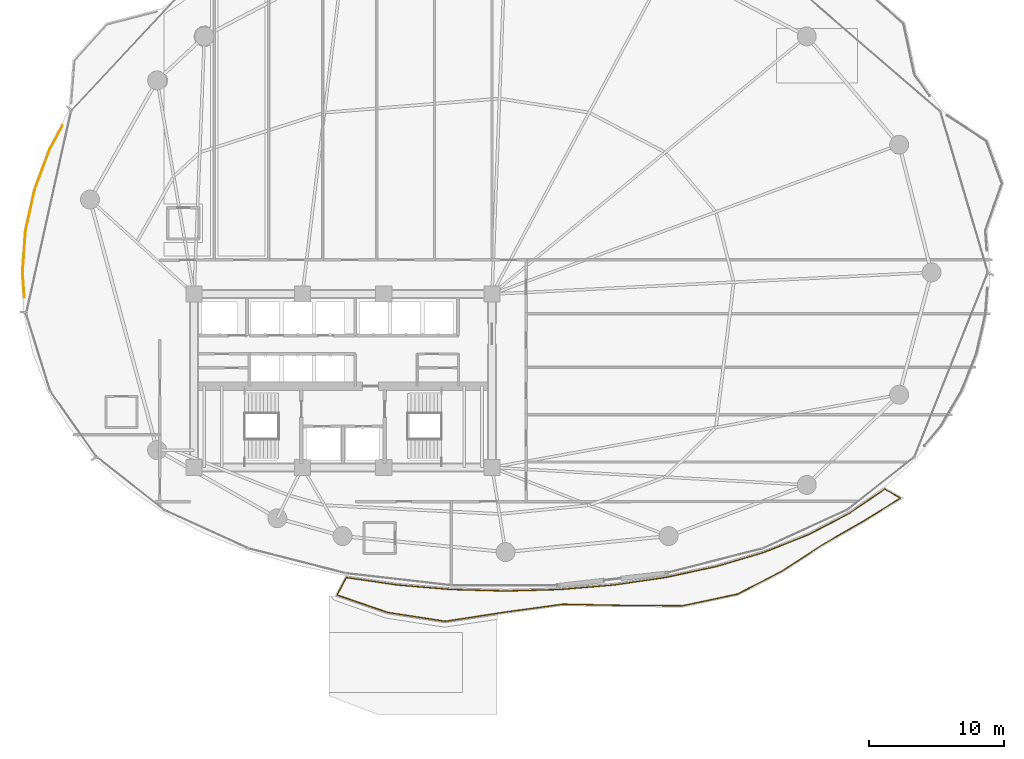
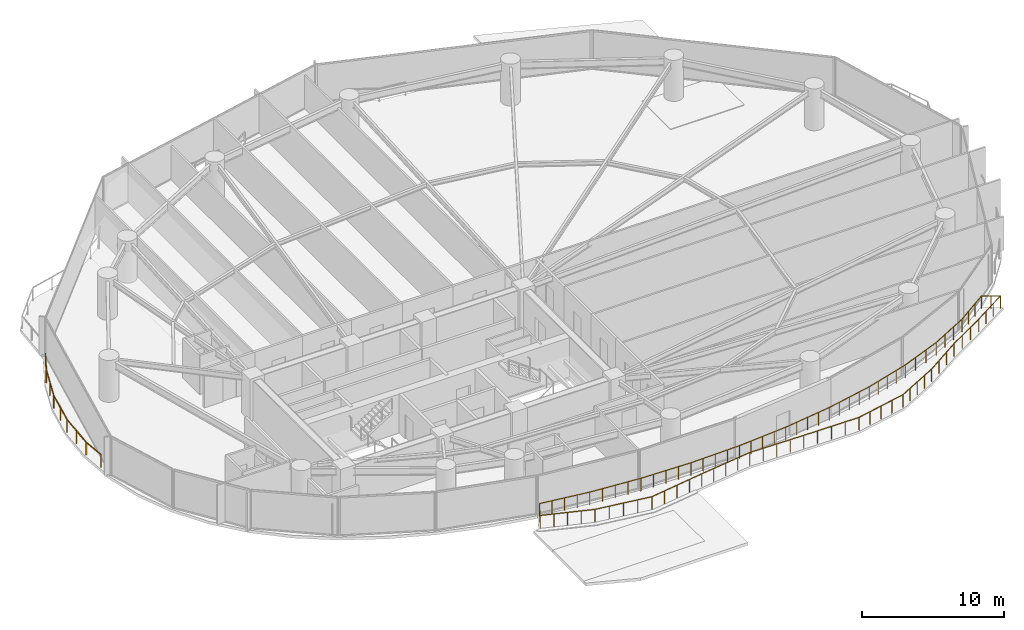
# One storey, part 30 of 32: 2 railings.
"""IFC4 building model written with IfcOpenShell, lengths in metres."""

from ifc_helpers import new_model, si_unit, direction, frame, origin, origin_2d, place, context, subcontext, project, spatial, rectangle, extrude, material, type_object, element, save


model = new_model("IFC4")

# Units and contexts
model_context = context("Model", 3, precision=1e-05, world=origin(), true_north=direction((0.0, 1.0)))
body_context = subcontext(model_context, "Body", "Model", "MODEL_VIEW")
ifc_project = project(units=[si_unit("LENGTHUNIT", "METRE"), si_unit("AREAUNIT", "SQUARE_METRE"), si_unit("VOLUMEUNIT", "CUBIC_METRE"), si_unit("PLANEANGLEUNIT", "RADIAN"), si_unit("MASSUNIT", "GRAM", prefix="KILO")], contexts=[model_context])

# Site, building, storey
site_placement = place(None, origin())
site = spatial("IfcSite", under=ifc_project, at=site_placement, CompositionType="ELEMENT")
building_placement = place(site_placement, origin())
building = spatial("IfcBuilding", under=site, at=building_placement, Name="Kazevale Care Tower and Concert Hall", CompositionType="ELEMENT")
storey_placement = place(building_placement, frame((0.0, 0.0, 24.0)))
storey = spatial("IfcBuildingStorey", under=building, at=storey_placement, Name="L05", CompositionType="ELEMENT", Elevation=24.0)

# Railings
ifc_material = material(Name="Anodised Bronze Aluminium and Laminated Glass", Category="aluminium")
railing_type = type_object("IfcRailingType", Name="Balcony and Terrace Balustrade 1120", PredefinedType="BALUSTRADE", material=ifc_material)
railing_1_placement = place(storey_placement, frame((9.47705078125, 36.139892578125, 0.0)))
element("IfcRailing", 1, at=railing_1_placement, inside=storey, type_object=railing_type, Name="rail:L05:perim:1", PredefinedType="BALUSTRADE", context=body_context, shape_type="SweptSolid", body=[
    extrude(rectangle(XDim=0.048095703125, YDim=0.048095703125, at=origin_2d()), frame((0.0, 0.0, 1.09619140625), z_axis=(-0.073432916276, 0.997300158832, 0.0), x_axis=(-0.997300158832, -0.073432916276, 0.0)), (0.0, 0.0, 1.0), 1.865234375),
    extrude(rectangle(XDim=0.048095703125, YDim=0.048095703125, at=origin_2d()), frame((-0.136962890625, 1.860107421875, 1.09619140625), z_axis=(0.072729345696, 0.997351714429, 0.0), x_axis=(-0.997351714429, 0.072729345696, 0.0)), (0.0, 0.0, 1.0), 3.078125),
    extrude(rectangle(XDim=0.048095703125, YDim=0.048095703125, at=origin_2d()), frame((0.0869140625, 4.93017578125, 1.09619140625), z_axis=(0.215148295556, 0.976581389808, 0.0), x_axis=(-0.976581389808, 0.215148295556, 0.0)), (0.0, 0.0, 1.0), 3.104736328125),
    extrude(rectangle(XDim=0.048095703125, YDim=0.048095703125, at=origin_2d()), frame((0.7548828125, 7.962158203125, 1.09619140625), z_axis=(0.350139798457, 0.936697454644, 0.0), x_axis=(-0.936697454644, 0.350139798457, 0.0)), (0.0, 0.0, 1.0), 3.15576171875),
    extrude(rectangle(XDim=0.048095703125, YDim=0.048095703125, at=origin_2d()), frame((1.85986328125, 10.918212890625, 1.09619140625), z_axis=(0.473074439741, 0.881022459682, 0.0), x_axis=(-0.881022459682, 0.473074439741, 0.0)), (0.0, 0.0, 1.0), 2.016845703125),
    extrude(rectangle(XDim=0.0419921875, YDim=0.0419921875, at=origin_2d()), origin(), (0.0, 0.0, 1.0), 1.072021484375),
    extrude(rectangle(XDim=0.0419921875, YDim=0.0419921875, at=origin_2d()), frame((-0.136962890625, 1.860107421875, 0.0)), (0.0, 0.0, 1.0), 1.072021484375),
    extrude(rectangle(XDim=0.0419921875, YDim=0.0419921875, at=origin_2d()), frame((-0.02490234375, 3.39501953125, 0.0)), (0.0, 0.0, 1.0), 1.072021484375),
    extrude(rectangle(XDim=0.0419921875, YDim=0.0419921875, at=origin_2d()), frame((0.0869140625, 4.93017578125, 0.0)), (0.0, 0.0, 1.0), 1.072021484375),
    extrude(rectangle(XDim=0.0419921875, YDim=0.0419921875, at=origin_2d()), frame((0.4208984375, 6.4462890625, 0.0)), (0.0, 0.0, 1.0), 1.072021484375),
    extrude(rectangle(XDim=0.0419921875, YDim=0.0419921875, at=origin_2d()), frame((0.7548828125, 7.962158203125, 0.0)), (0.0, 0.0, 1.0), 1.072021484375),
    extrude(rectangle(XDim=0.0419921875, YDim=0.0419921875, at=origin_2d()), frame((1.307373046875, 9.440185546875, 0.0)), (0.0, 0.0, 1.0), 1.072021484375),
    extrude(rectangle(XDim=0.0419921875, YDim=0.0419921875, at=origin_2d()), frame((1.85986328125, 10.918212890625, 0.0)), (0.0, 0.0, 1.0), 1.072021484375),
    extrude(rectangle(XDim=0.0419921875, YDim=0.0419921875, at=origin_2d()), frame((2.81396484375, 12.695068359375, 0.0)), (0.0, 0.0, 1.0), 1.072021484375),
])
railing_2_placement = place(storey_placement, frame((33.239990234375, 15.469970703125, 0.0)))
element("IfcRailing", 2, at=railing_2_placement, inside=storey, type_object=railing_type, Name="rail:L05:balcony", PredefinedType="BALUSTRADE", context=body_context, shape_type="SweptSolid", body=[
    extrude(rectangle(XDim=0.048095703125, YDim=0.048095703125, at=origin_2d()), frame((0.0, 0.0, 1.09619140625), z_axis=(0.98954153526, -0.144248223541, 0.0), x_axis=(0.144248223541, 0.98954153526, 0.0)), (0.0, 0.0, 1.0), 3.820068359375),
    extrude(rectangle(XDim=0.048095703125, YDim=0.048095703125, at=origin_2d()), frame((3.780029296875, -0.551025390625, 1.09619140625), z_axis=(0.996491809711, -0.083690341016, 0.0), x_axis=(0.083690341016, 0.996491809711, 0.0)), (0.0, 0.0, 1.0), 3.97900390625),
    extrude(rectangle(XDim=0.048095703125, YDim=0.048095703125, at=origin_2d()), frame((7.7451171875, -0.884033203125, 1.09619140625), z_axis=(0.999619139625, -0.027596660954, 0.0), x_axis=(0.027596660954, 0.999619139625, 0.0)), (0.0, 0.0, 1.0), 4.016357421875),
    extrude(rectangle(XDim=0.048095703125, YDim=0.048095703125, at=origin_2d()), frame((11.760009765625, -0.994873046875, 1.09619140625), z_axis=(0.999619139625, 0.027596660954, 0.0), x_axis=(-0.027596660954, 0.999619139625, 0.0)), (0.0, 0.0, 1.0), 4.016357421875),
    extrude(rectangle(XDim=0.048095703125, YDim=0.048095703125, at=origin_2d()), frame((15.77490234375, -0.884033203125, 1.09619140625), z_axis=(0.996491809711, 0.083690341016, 0.0), x_axis=(-0.083690341016, 0.996491809711, 0.0)), (0.0, 0.0, 1.0), 3.97900390625),
    extrude(rectangle(XDim=0.048095703125, YDim=0.048095703125, at=origin_2d()), frame((19.739990234375, -0.551025390625, 1.09619140625), z_axis=(0.989562148583, 0.144106745477, 0.0), x_axis=(-0.144106745477, 0.989562148583, 0.0)), (0.0, 0.0, 1.0), 3.90673828125),
    extrude(rectangle(XDim=0.048095703125, YDim=0.048095703125, at=origin_2d()), frame((23.60595703125, 0.011962890625, 1.09619140625), z_axis=(0.977622623243, 0.210366362622, 0.0), x_axis=(-0.210366362622, 0.977622623243, 0.0)), (0.0, 0.0, 1.0), 3.80322265625),
    extrude(rectangle(XDim=0.048095703125, YDim=0.048095703125, at=origin_2d()), frame((27.323974609375, 0.81201171875, 1.09619140625), z_axis=(0.958576059845, 0.28483668565, 0.0), x_axis=(-0.28483668565, 0.958576059845, 0.0)), (0.0, 0.0, 1.0), 3.67626953125),
    extrude(rectangle(XDim=0.048095703125, YDim=0.048095703125, at=origin_2d()), frame((30.847900390625, 1.859130859375, 1.09619140625), z_axis=(0.929364745906, 0.369162794803, 0.0), x_axis=(-0.369162794803, 0.929364745906, 0.0)), (0.0, 0.0, 1.0), 3.534912109375),
    extrude(rectangle(XDim=0.048095703125, YDim=0.048095703125, at=origin_2d()), frame((34.133056640625, 3.1640625, 1.09619140625), z_axis=(0.886249621896, 0.463207952965, 0.0), x_axis=(-0.463207952965, 0.886249621896, 0.0)), (0.0, 0.0, 1.0), 3.3916015625),
    extrude(rectangle(XDim=0.048095703125, YDim=0.048095703125, at=origin_2d()), frame((37.138916015625, 4.735107421875, 1.09619140625), z_axis=(0.825224295989, 0.564805153402, 0.0), x_axis=(-0.564805153402, 0.825224295989, 0.0)), (0.0, 0.0, 1.0), 3.17626953125),
    extrude(rectangle(XDim=0.048095703125, YDim=0.048095703125, at=origin_2d()), frame((39.760009765625, 6.529052734375, 1.09619140625), z_axis=(0.870074231568, -0.49292071529, 0.0), x_axis=(0.49292071529, 0.870074231568, 0.0)), (0.0, 0.0, 1.0), 1.34130859375),
    extrude(rectangle(XDim=0.048095703125, YDim=0.048095703125, at=origin_2d()), frame((40.927001953125, 5.867919921875, 1.09619140625), z_axis=(-0.849366024121, -0.52780427913, 0.0), x_axis=(0.52780427913, -0.849366024121, 0.0)), (0.0, 0.0, 1.0), 3.262451171875),
    extrude(rectangle(XDim=0.048095703125, YDim=0.048095703125, at=origin_2d()), frame((38.156005859375, 4.14599609375, 1.09619140625), z_axis=(-0.867074580716, -0.498178353078, 0.0), x_axis=(0.498178353078, -0.867074580716, 0.0)), (0.0, 0.0, 1.0), 3.478515625),
    extrude(rectangle(XDim=0.048095703125, YDim=0.048095703125, at=origin_2d()), frame((35.139892578125, 2.4130859375, 1.09619140625), z_axis=(-0.836151980864, -0.548497825791, 0.0), x_axis=(0.548497825791, -0.836151980864, 0.0)), (0.0, 0.0, 1.0), 3.496826171875),
    extrude(rectangle(XDim=0.048095703125, YDim=0.048095703125, at=origin_2d()), frame((32.216064453125, 0.4951171875, 1.09619140625), z_axis=(-0.889021964417, -0.457864550695, 0.0), x_axis=(0.457864550695, -0.889021964417, 0.0)), (0.0, 0.0, 1.0), 3.748046875),
    extrude(rectangle(XDim=0.048095703125, YDim=0.048095703125, at=origin_2d()), frame((28.884033203125, -1.220947265625, 1.09619140625), z_axis=(-0.978051319828, -0.208364142266, 0.0), x_axis=(0.208364142266, -0.978051319828, 0.0)), (0.0, 0.0, 1.0), 4.165283203125),
    extrude(rectangle(XDim=0.048095703125, YDim=0.048095703125, at=origin_2d()), frame((24.81005859375, -2.0888671875, 1.09619140625), z_axis=(-0.9999695836, 0.007799479135, 0.0), x_axis=(-0.007799479135, -0.9999695836, 0.0)), (0.0, 0.0, 1.0), 4.476318359375),
    extrude(rectangle(XDim=0.048095703125, YDim=0.048095703125, at=origin_2d()), frame((20.333984375, -2.053955078125, 1.09619140625), z_axis=(-0.999817479955, 0.019105150519, 0.0), x_axis=(-0.019105150519, -0.999817479955, 0.0)), (0.0, 0.0, 1.0), 4.3447265625),
    extrude(rectangle(XDim=0.048095703125, YDim=0.048095703125, at=origin_2d()), frame((15.989990234375, -1.970947265625, 1.09619140625), z_axis=(-0.99083155438, -0.135103037882, 0.0), x_axis=(0.135103037882, -0.99083155438, 0.0)), (0.0, 0.0, 1.0), 4.286376953125),
    extrude(rectangle(XDim=0.048095703125, YDim=0.048095703125, at=origin_2d()), frame((11.742919921875, -2.550048828125, 1.09619140625), z_axis=(-0.988433847852, -0.151652657149, 0.0), x_axis=(0.151652657149, -0.988433847852, 0.0)), (0.0, 0.0, 1.0), 4.489990234375),
    extrude(rectangle(XDim=0.048095703125, YDim=0.048095703125, at=origin_2d()), frame((7.304931640625, -3.23095703125, 1.09619140625), z_axis=(-0.988250449008, 0.152843220442, 0.0), x_axis=(-0.152843220442, -0.988250449008, 0.0)), (0.0, 0.0, 1.0), 4.317626953125),
    extrude(rectangle(XDim=0.048095703125, YDim=0.048095703125, at=origin_2d()), frame((3.0380859375, -2.571044921875, 1.09619140625), z_axis=(-0.945380238076, 0.325969638856, 0.0), x_axis=(-0.325969638856, -0.945380238076, 0.0)), (0.0, 0.0, 1.0), 3.932861328125),
    extrude(rectangle(XDim=0.048095703125, YDim=0.048095703125, at=origin_2d()), frame((-0.679931640625, -1.2890625, 1.09619140625), z_axis=(0.466540234237, 0.884499977297, 0.0), x_axis=(-0.884499977297, 0.466540234237, 0.0)), (0.0, 0.0, 1.0), 1.457275390625),
    extrude(rectangle(XDim=0.0419921875, YDim=0.0419921875, at=origin_2d()), origin(), (0.0, 0.0, 1.0), 1.072021484375),
    extrude(rectangle(XDim=0.0419921875, YDim=0.0419921875, at=origin_2d()), frame((0.945068359375, -0.1376953125, 0.0)), (0.0, 0.0, 1.0), 1.072021484375),
    extrude(rectangle(XDim=0.0419921875, YDim=0.0419921875, at=origin_2d()), frame((1.89013671875, -0.275390625, 0.0)), (0.0, 0.0, 1.0), 1.072021484375),
    extrude(rectangle(XDim=0.0419921875, YDim=0.0419921875, at=origin_2d()), frame((2.8349609375, -0.413330078125, 0.0)), (0.0, 0.0, 1.0), 1.072021484375),
    extrude(rectangle(XDim=0.0419921875, YDim=0.0419921875, at=origin_2d()), frame((3.780029296875, -0.551025390625, 0.0)), (0.0, 0.0, 1.0), 1.072021484375),
    extrude(rectangle(XDim=0.0419921875, YDim=0.0419921875, at=origin_2d()), frame((4.771240234375, -0.63427734375, 0.0)), (0.0, 0.0, 1.0), 1.072021484375),
    extrude(rectangle(XDim=0.0419921875, YDim=0.0419921875, at=origin_2d()), frame((5.7626953125, -0.717529296875, 0.0)), (0.0, 0.0, 1.0), 1.072021484375),
    extrude(rectangle(XDim=0.0419921875, YDim=0.0419921875, at=origin_2d()), frame((6.75390625, -0.80078125, 0.0)), (0.0, 0.0, 1.0), 1.072021484375),
    extrude(rectangle(XDim=0.0419921875, YDim=0.0419921875, at=origin_2d()), frame((7.7451171875, -0.884033203125, 0.0)), (0.0, 0.0, 1.0), 1.072021484375),
    extrude(rectangle(XDim=0.0419921875, YDim=0.0419921875, at=origin_2d()), frame((8.748779296875, -0.91162109375, 0.0)), (0.0, 0.0, 1.0), 1.072021484375),
    extrude(rectangle(XDim=0.0419921875, YDim=0.0419921875, at=origin_2d()), frame((9.75244140625, -0.939453125, 0.0)), (0.0, 0.0, 1.0), 1.072021484375),
    extrude(rectangle(XDim=0.0419921875, YDim=0.0419921875, at=origin_2d()), frame((10.75634765625, -0.96728515625, 0.0)), (0.0, 0.0, 1.0), 1.072021484375),
    extrude(rectangle(XDim=0.0419921875, YDim=0.0419921875, at=origin_2d()), frame((11.760009765625, -0.994873046875, 0.0)), (0.0, 0.0, 1.0), 1.072021484375),
    extrude(rectangle(XDim=0.0419921875, YDim=0.0419921875, at=origin_2d()), frame((12.763671875, -0.96728515625, 0.0)), (0.0, 0.0, 1.0), 1.072021484375),
    extrude(rectangle(XDim=0.0419921875, YDim=0.0419921875, at=origin_2d()), frame((13.767578125, -0.939453125, 0.0)), (0.0, 0.0, 1.0), 1.072021484375),
    extrude(rectangle(XDim=0.0419921875, YDim=0.0419921875, at=origin_2d()), frame((14.771240234375, -0.91162109375, 0.0)), (0.0, 0.0, 1.0), 1.072021484375),
    extrude(rectangle(XDim=0.0419921875, YDim=0.0419921875, at=origin_2d()), frame((15.77490234375, -0.884033203125, 0.0)), (0.0, 0.0, 1.0), 1.072021484375),
    extrude(rectangle(XDim=0.0419921875, YDim=0.0419921875, at=origin_2d()), frame((16.76611328125, -0.80078125, 0.0)), (0.0, 0.0, 1.0), 1.072021484375),
    extrude(rectangle(XDim=0.0419921875, YDim=0.0419921875, at=origin_2d()), frame((17.75732421875, -0.717529296875, 0.0)), (0.0, 0.0, 1.0), 1.072021484375),
    extrude(rectangle(XDim=0.0419921875, YDim=0.0419921875, at=origin_2d()), frame((18.748779296875, -0.63427734375, 0.0)), (0.0, 0.0, 1.0), 1.072021484375),
    extrude(rectangle(XDim=0.0419921875, YDim=0.0419921875, at=origin_2d()), frame((19.739990234375, -0.551025390625, 0.0)), (0.0, 0.0, 1.0), 1.072021484375),
    extrude(rectangle(XDim=0.0419921875, YDim=0.0419921875, at=origin_2d()), frame((20.70654296875, -0.41015625, 0.0)), (0.0, 0.0, 1.0), 1.072021484375),
    extrude(rectangle(XDim=0.0419921875, YDim=0.0419921875, at=origin_2d()), frame((21.6728515625, -0.26953125, 0.0)), (0.0, 0.0, 1.0), 1.072021484375),
    extrude(rectangle(XDim=0.0419921875, YDim=0.0419921875, at=origin_2d()), frame((22.639404296875, -0.12890625, 0.0)), (0.0, 0.0, 1.0), 1.072021484375),
    extrude(rectangle(XDim=0.0419921875, YDim=0.0419921875, at=origin_2d()), frame((23.60595703125, 0.011962890625, 0.0)), (0.0, 0.0, 1.0), 1.072021484375),
    extrude(rectangle(XDim=0.0419921875, YDim=0.0419921875, at=origin_2d()), frame((24.535400390625, 0.2119140625, 0.0)), (0.0, 0.0, 1.0), 1.072021484375),
    extrude(rectangle(XDim=0.0419921875, YDim=0.0419921875, at=origin_2d()), frame((25.46484375, 0.412109375, 0.0)), (0.0, 0.0, 1.0), 1.072021484375),
    extrude(rectangle(XDim=0.0419921875, YDim=0.0419921875, at=origin_2d()), frame((26.39453125, 0.612060546875, 0.0)), (0.0, 0.0, 1.0), 1.072021484375),
    extrude(rectangle(XDim=0.0419921875, YDim=0.0419921875, at=origin_2d()), frame((27.323974609375, 0.81201171875, 0.0)), (0.0, 0.0, 1.0), 1.072021484375),
    extrude(rectangle(XDim=0.0419921875, YDim=0.0419921875, at=origin_2d()), frame((28.205078125, 1.07373046875, 0.0)), (0.0, 0.0, 1.0), 1.072021484375),
    extrude(rectangle(XDim=0.0419921875, YDim=0.0419921875, at=origin_2d()), frame((29.0859375, 1.33544921875, 0.0)), (0.0, 0.0, 1.0), 1.072021484375),
    extrude(rectangle(XDim=0.0419921875, YDim=0.0419921875, at=origin_2d()), frame((29.966796875, 1.597412109375, 0.0)), (0.0, 0.0, 1.0), 1.072021484375),
    extrude(rectangle(XDim=0.0419921875, YDim=0.0419921875, at=origin_2d()), frame((30.847900390625, 1.859130859375, 0.0)), (0.0, 0.0, 1.0), 1.072021484375),
    extrude(rectangle(XDim=0.0419921875, YDim=0.0419921875, at=origin_2d()), frame((31.94287109375, 2.294189453125, 0.0)), (0.0, 0.0, 1.0), 1.072021484375),
    extrude(rectangle(XDim=0.0419921875, YDim=0.0419921875, at=origin_2d()), frame((33.0380859375, 2.72900390625, 0.0)), (0.0, 0.0, 1.0), 1.072021484375),
    extrude(rectangle(XDim=0.0419921875, YDim=0.0419921875, at=origin_2d()), frame((34.133056640625, 3.1640625, 0.0)), (0.0, 0.0, 1.0), 1.072021484375),
    extrude(rectangle(XDim=0.0419921875, YDim=0.0419921875, at=origin_2d()), frame((35.135009765625, 3.687744140625, 0.0)), (0.0, 0.0, 1.0), 1.072021484375),
    extrude(rectangle(XDim=0.0419921875, YDim=0.0419921875, at=origin_2d()), frame((36.136962890625, 4.21142578125, 0.0)), (0.0, 0.0, 1.0), 1.072021484375),
    extrude(rectangle(XDim=0.0419921875, YDim=0.0419921875, at=origin_2d()), frame((37.138916015625, 4.735107421875, 0.0)), (0.0, 0.0, 1.0), 1.072021484375),
    extrude(rectangle(XDim=0.0419921875, YDim=0.0419921875, at=origin_2d()), frame((38.0126953125, 5.3330078125, 0.0)), (0.0, 0.0, 1.0), 1.072021484375),
    extrude(rectangle(XDim=0.0419921875, YDim=0.0419921875, at=origin_2d()), frame((38.88623046875, 5.93115234375, 0.0)), (0.0, 0.0, 1.0), 1.072021484375),
    extrude(rectangle(XDim=0.0419921875, YDim=0.0419921875, at=origin_2d()), frame((39.760009765625, 6.529052734375, 0.0)), (0.0, 0.0, 1.0), 1.072021484375),
    extrude(rectangle(XDim=0.0419921875, YDim=0.0419921875, at=origin_2d()), frame((40.343505859375, 6.198486328125, 0.0)), (0.0, 0.0, 1.0), 1.072021484375),
    extrude(rectangle(XDim=0.0419921875, YDim=0.0419921875, at=origin_2d()), frame((40.927001953125, 5.867919921875, 0.0)), (0.0, 0.0, 1.0), 1.072021484375),
    extrude(rectangle(XDim=0.0419921875, YDim=0.0419921875, at=origin_2d()), frame((40.00341796875, 5.2939453125, 0.0)), (0.0, 0.0, 1.0), 1.072021484375),
    extrude(rectangle(XDim=0.0419921875, YDim=0.0419921875, at=origin_2d()), frame((39.07958984375, 4.719970703125, 0.0)), (0.0, 0.0, 1.0), 1.072021484375),
    extrude(rectangle(XDim=0.0419921875, YDim=0.0419921875, at=origin_2d()), frame((38.156005859375, 4.14599609375, 0.0)), (0.0, 0.0, 1.0), 1.072021484375),
    extrude(rectangle(XDim=0.0419921875, YDim=0.0419921875, at=origin_2d()), frame((37.150634765625, 3.568359375, 0.0)), (0.0, 0.0, 1.0), 1.072021484375),
    extrude(rectangle(XDim=0.0419921875, YDim=0.0419921875, at=origin_2d()), frame((36.145263671875, 2.99072265625, 0.0)), (0.0, 0.0, 1.0), 1.072021484375),
    extrude(rectangle(XDim=0.0419921875, YDim=0.0419921875, at=origin_2d()), frame((35.139892578125, 2.4130859375, 0.0)), (0.0, 0.0, 1.0), 1.072021484375),
    extrude(rectangle(XDim=0.0419921875, YDim=0.0419921875, at=origin_2d()), frame((34.165283203125, 1.773681640625, 0.0)), (0.0, 0.0, 1.0), 1.072021484375),
    extrude(rectangle(XDim=0.0419921875, YDim=0.0419921875, at=origin_2d()), frame((33.190673828125, 1.134521484375, 0.0)), (0.0, 0.0, 1.0), 1.072021484375),
    extrude(rectangle(XDim=0.0419921875, YDim=0.0419921875, at=origin_2d()), frame((32.216064453125, 0.4951171875, 0.0)), (0.0, 0.0, 1.0), 1.072021484375),
    extrude(rectangle(XDim=0.0419921875, YDim=0.0419921875, at=origin_2d()), frame((31.383056640625, 0.066162109375, 0.0)), (0.0, 0.0, 1.0), 1.072021484375),
    extrude(rectangle(XDim=0.0419921875, YDim=0.0419921875, at=origin_2d()), frame((30.550048828125, -0.36279296875, 0.0)), (0.0, 0.0, 1.0), 1.072021484375),
    extrude(rectangle(XDim=0.0419921875, YDim=0.0419921875, at=origin_2d()), frame((29.717041015625, -0.7919921875, 0.0)), (0.0, 0.0, 1.0), 1.072021484375),
    extrude(rectangle(XDim=0.0419921875, YDim=0.0419921875, at=origin_2d()), frame((28.884033203125, -1.220947265625, 0.0)), (0.0, 0.0, 1.0), 1.072021484375),
    extrude(rectangle(XDim=0.0419921875, YDim=0.0419921875, at=origin_2d()), frame((27.865478515625, -1.43798828125, 0.0)), (0.0, 0.0, 1.0), 1.072021484375),
    extrude(rectangle(XDim=0.0419921875, YDim=0.0419921875, at=origin_2d()), frame((26.84716796875, -1.65478515625, 0.0)), (0.0, 0.0, 1.0), 1.072021484375),
    extrude(rectangle(XDim=0.0419921875, YDim=0.0419921875, at=origin_2d()), frame((25.82861328125, -1.871826171875, 0.0)), (0.0, 0.0, 1.0), 1.072021484375),
    extrude(rectangle(XDim=0.0419921875, YDim=0.0419921875, at=origin_2d()), frame((24.81005859375, -2.0888671875, 0.0)), (0.0, 0.0, 1.0), 1.072021484375),
    extrude(rectangle(XDim=0.0419921875, YDim=0.0419921875, at=origin_2d()), frame((23.69091796875, -2.080078125, 0.0)), (0.0, 0.0, 1.0), 1.072021484375),
    extrude(rectangle(XDim=0.0419921875, YDim=0.0419921875, at=origin_2d()), frame((22.572021484375, -2.0712890625, 0.0)), (0.0, 0.0, 1.0), 1.072021484375),
    extrude(rectangle(XDim=0.0419921875, YDim=0.0419921875, at=origin_2d()), frame((21.453125, -2.062744140625, 0.0)), (0.0, 0.0, 1.0), 1.072021484375),
    extrude(rectangle(XDim=0.0419921875, YDim=0.0419921875, at=origin_2d()), frame((20.333984375, -2.053955078125, 0.0)), (0.0, 0.0, 1.0), 1.072021484375),
    extrude(rectangle(XDim=0.0419921875, YDim=0.0419921875, at=origin_2d()), frame((19.248046875, -2.033203125, 0.0)), (0.0, 0.0, 1.0), 1.072021484375),
    extrude(rectangle(XDim=0.0419921875, YDim=0.0419921875, at=origin_2d()), frame((18.162109375, -2.012451171875, 0.0)), (0.0, 0.0, 1.0), 1.072021484375),
    extrude(rectangle(XDim=0.0419921875, YDim=0.0419921875, at=origin_2d()), frame((17.075927734375, -1.99169921875, 0.0)), (0.0, 0.0, 1.0), 1.072021484375),
    extrude(rectangle(XDim=0.0419921875, YDim=0.0419921875, at=origin_2d()), frame((15.989990234375, -1.970947265625, 0.0)), (0.0, 0.0, 1.0), 1.072021484375),
    extrude(rectangle(XDim=0.0419921875, YDim=0.0419921875, at=origin_2d()), frame((14.92822265625, -2.11572265625, 0.0)), (0.0, 0.0, 1.0), 1.072021484375),
    extrude(rectangle(XDim=0.0419921875, YDim=0.0419921875, at=origin_2d()), frame((13.866455078125, -2.260498046875, 0.0)), (0.0, 0.0, 1.0), 1.072021484375),
    extrude(rectangle(XDim=0.0419921875, YDim=0.0419921875, at=origin_2d()), frame((12.8046875, -2.4052734375, 0.0)), (0.0, 0.0, 1.0), 1.072021484375),
    extrude(rectangle(XDim=0.0419921875, YDim=0.0419921875, at=origin_2d()), frame((11.742919921875, -2.550048828125, 0.0)), (0.0, 0.0, 1.0), 1.072021484375),
    extrude(rectangle(XDim=0.0419921875, YDim=0.0419921875, at=origin_2d()), frame((10.63330078125, -2.72021484375, 0.0)), (0.0, 0.0, 1.0), 1.072021484375),
    extrude(rectangle(XDim=0.0419921875, YDim=0.0419921875, at=origin_2d()), frame((9.52392578125, -2.890625, 0.0)), (0.0, 0.0, 1.0), 1.072021484375),
    extrude(rectangle(XDim=0.0419921875, YDim=0.0419921875, at=origin_2d()), frame((8.41455078125, -3.060791015625, 0.0)), (0.0, 0.0, 1.0), 1.072021484375),
    extrude(rectangle(XDim=0.0419921875, YDim=0.0419921875, at=origin_2d()), frame((7.304931640625, -3.23095703125, 0.0)), (0.0, 0.0, 1.0), 1.072021484375),
    extrude(rectangle(XDim=0.0419921875, YDim=0.0419921875, at=origin_2d()), frame((6.23828125, -3.06591796875, 0.0)), (0.0, 0.0, 1.0), 1.072021484375),
    extrude(rectangle(XDim=0.0419921875, YDim=0.0419921875, at=origin_2d()), frame((5.17138671875, -2.90087890625, 0.0)), (0.0, 0.0, 1.0), 1.072021484375),
    extrude(rectangle(XDim=0.0419921875, YDim=0.0419921875, at=origin_2d()), frame((4.104736328125, -2.736083984375, 0.0)), (0.0, 0.0, 1.0), 1.072021484375),
    extrude(rectangle(XDim=0.0419921875, YDim=0.0419921875, at=origin_2d()), frame((3.0380859375, -2.571044921875, 0.0)), (0.0, 0.0, 1.0), 1.072021484375),
    extrude(rectangle(XDim=0.0419921875, YDim=0.0419921875, at=origin_2d()), frame((2.108642578125, -2.25048828125, 0.0)), (0.0, 0.0, 1.0), 1.072021484375),
    extrude(rectangle(XDim=0.0419921875, YDim=0.0419921875, at=origin_2d()), frame((1.17919921875, -1.93017578125, 0.0)), (0.0, 0.0, 1.0), 1.072021484375),
    extrude(rectangle(XDim=0.0419921875, YDim=0.0419921875, at=origin_2d()), frame((0.24951171875, -1.609619140625, 0.0)), (0.0, 0.0, 1.0), 1.072021484375),
    extrude(rectangle(XDim=0.0419921875, YDim=0.0419921875, at=origin_2d()), frame((-0.679931640625, -1.2890625, 0.0)), (0.0, 0.0, 1.0), 1.072021484375),
    extrude(rectangle(XDim=0.0419921875, YDim=0.0419921875, at=origin_2d()), frame((-0.33984375, -0.64453125, 0.0)), (0.0, 0.0, 1.0), 1.072021484375),
])

save(model, "model.ifc")
